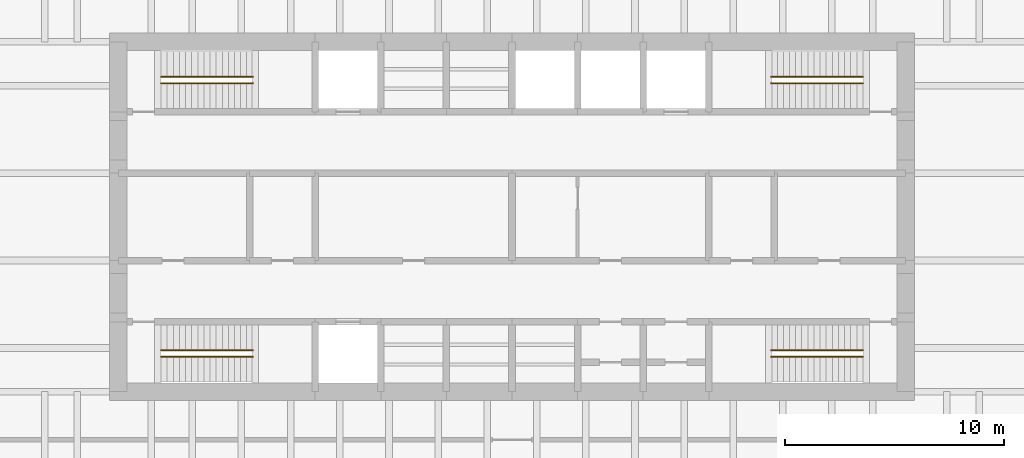
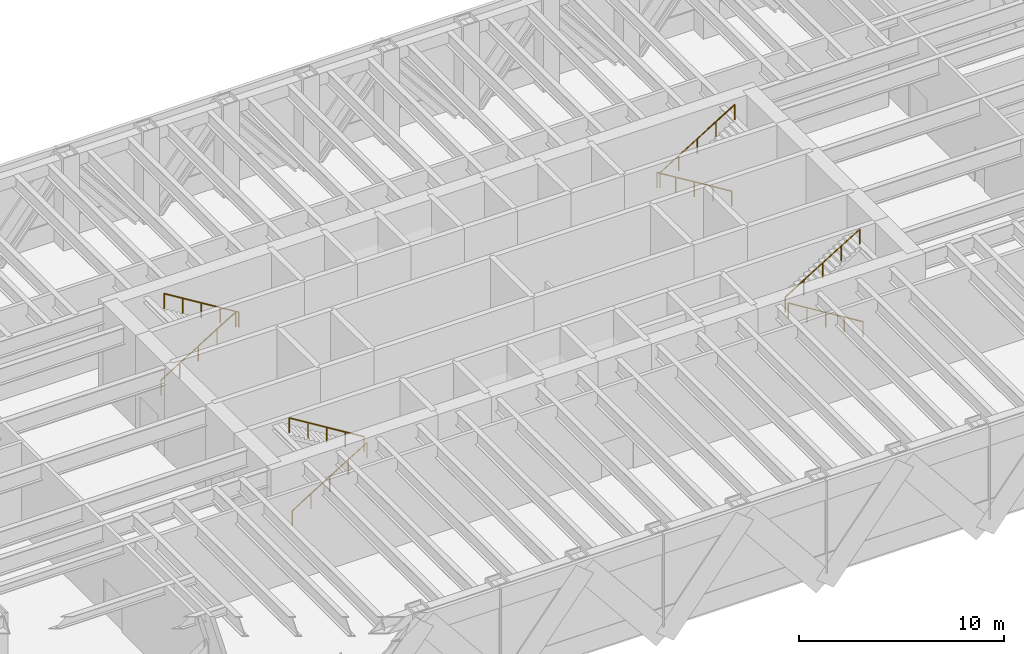
# One storey, part 17 of 17: 8 railings.
"""IFC4 building model written with IfcOpenShell, lengths in metres."""

from ifc_helpers import new_model, si_unit, direction, frame, origin, origin_2d, place, context, subcontext, project, spatial, circle, extrude, material, type_object, element, save


model = new_model("IFC4")

# Units and contexts
model_context = context("Model", 3, precision=1e-05, world=origin(), true_north=direction((0.0, 1.0)))
body_context = subcontext(model_context, "Body", "Model", "MODEL_VIEW")
ifc_project = project(units=[si_unit("LENGTHUNIT", "METRE"), si_unit("AREAUNIT", "SQUARE_METRE"), si_unit("VOLUMEUNIT", "CUBIC_METRE"), si_unit("PLANEANGLEUNIT", "RADIAN"), si_unit("MASSUNIT", "GRAM", prefix="KILO")], contexts=[model_context])

# Site, building, storey
site_placement = place(None, origin())
site = spatial("IfcSite", under=ifc_project, at=site_placement, CompositionType="ELEMENT")
building_placement = place(site_placement, origin())
building = spatial("IfcBuilding", under=site, at=building_placement, Name="Rheinbord Bourse Tower", CompositionType="ELEMENT")
storey_placement = place(building_placement, frame((0.0, 0.0, 265.60009765625)))
storey = spatial("IfcBuildingStorey", under=building, at=storey_placement, Name="L60", CompositionType="ELEMENT", Elevation=265.60009765625)

# Railings
ifc_material = material(Name="Steel handrail", Category="steel")
railing_type = type_object("IfcRailingType", Name="HANDRAIL 900", PredefinedType="HANDRAIL", material=ifc_material)
railing_1_placement = place(storey_placement, frame((19.949951171875, 17.60009765625, 0.171875)))
element("IfcRailing", 1, at=railing_1_placement, inside=storey, type_object=railing_type, Name="Handrail", PredefinedType="HANDRAIL", context=body_context, shape_type="SweptSolid", body=[
    extrude(circle(Radius=0.02392578125, at=origin_2d()), frame((0.0, 0.0, 0.8759765625), z_axis=(0.852242915053, 0.0, 0.523146264196), x_axis=(0.0, 1.0, 0.0)), (0.0, 0.0, 1.0), 4.92822265625),
    extrude(circle(Radius=0.02099609375, at=origin_2d()), origin(), (0.0, 0.0, 1.0), 0.851806640625),
    extrude(circle(Radius=0.02099609375, at=origin_2d()), frame((1.050048828125, 0.0, 0.64453125)), (0.0, 0.0, 1.0), 0.851806640625),
    extrude(circle(Radius=0.02099609375, at=origin_2d()), frame((2.10009765625, 0.0, 1.2890625)), (0.0, 0.0, 1.0), 0.851806640625),
    extrude(circle(Radius=0.02099609375, at=origin_2d()), frame((3.14990234375, 0.0, 1.93359375)), (0.0, 0.0, 1.0), 0.851806640625),
    extrude(circle(Radius=0.02099609375, at=origin_2d()), frame((4.199951171875, 0.0, 2.578125)), (0.0, 0.0, 1.0), 0.851806640625),
])
railing_2_placement = place(storey_placement, frame((24.14990234375, 17.89990234375, 2.921875)))
element("IfcRailing", 2, at=railing_2_placement, inside=storey, type_object=railing_type, Name="Handrail", PredefinedType="HANDRAIL", context=body_context, shape_type="SweptSolid", body=[
    extrude(circle(Radius=0.02392578125, at=origin_2d()), frame((0.0, 0.0, 0.8759765625), z_axis=(-0.852242915053, 0.0, 0.523146264196), x_axis=(0.0, -1.0, 0.0)), (0.0, 0.0, 1.0), 4.92822265625),
    extrude(circle(Radius=0.02099609375, at=origin_2d()), origin(), (0.0, 0.0, 1.0), 0.851806640625),
    extrude(circle(Radius=0.02099609375, at=origin_2d()), frame((-1.050048828125, 0.0, 0.64453125)), (0.0, 0.0, 1.0), 0.851806640625),
    extrude(circle(Radius=0.02099609375, at=origin_2d()), frame((-2.10009765625, 0.0, 1.2890625)), (0.0, 0.0, 1.0), 0.851806640625),
    extrude(circle(Radius=0.02099609375, at=origin_2d()), frame((-3.14990234375, 0.0, 1.93359375)), (0.0, 0.0, 1.0), 0.851806640625),
    extrude(circle(Radius=0.02099609375, at=origin_2d()), frame((-4.199951171875, 0.0, 2.578125)), (0.0, 0.0, 1.0), 0.851806640625),
])
railing_3_placement = place(storey_placement, frame((19.949951171875, 30.39990234375, 0.171875)))
element("IfcRailing", 3, at=railing_3_placement, inside=storey, type_object=railing_type, Name="Handrail", PredefinedType="HANDRAIL", context=body_context, shape_type="SweptSolid", body=[
    extrude(circle(Radius=0.02392578125, at=origin_2d()), frame((0.0, 0.0, 0.8759765625), z_axis=(0.852242915053, 0.0, 0.523146264196), x_axis=(0.0, 1.0, 0.0)), (0.0, 0.0, 1.0), 4.92822265625),
    extrude(circle(Radius=0.02099609375, at=origin_2d()), origin(), (0.0, 0.0, 1.0), 0.851806640625),
    extrude(circle(Radius=0.02099609375, at=origin_2d()), frame((1.050048828125, 0.0, 0.64453125)), (0.0, 0.0, 1.0), 0.851806640625),
    extrude(circle(Radius=0.02099609375, at=origin_2d()), frame((2.10009765625, 0.0, 1.2890625)), (0.0, 0.0, 1.0), 0.851806640625),
    extrude(circle(Radius=0.02099609375, at=origin_2d()), frame((3.14990234375, 0.0, 1.93359375)), (0.0, 0.0, 1.0), 0.851806640625),
    extrude(circle(Radius=0.02099609375, at=origin_2d()), frame((4.199951171875, 0.0, 2.578125)), (0.0, 0.0, 1.0), 0.851806640625),
])
for number, where, name in (
    (4, (24.14990234375, 30.10009765625, 2.921875), "Handrail"),
    (5, (52.050048828125, 17.60009765625, 0.171875), "Handrail"),
):
    element("IfcRailing", number, at=place(storey_placement, frame(where)), inside=storey, type_object=railing_type, Name=name, PredefinedType="HANDRAIL", context=body_context, shape_type="SweptSolid", body=[
        extrude(circle(Radius=0.02392578125, at=origin_2d()), frame((0.0, 0.0, 0.8759765625), z_axis=(-0.852242915053, 0.0, 0.523146264196), x_axis=(0.0, -1.0, 0.0)), (0.0, 0.0, 1.0), 4.92822265625),
        extrude(circle(Radius=0.02099609375, at=origin_2d()), origin(), (0.0, 0.0, 1.0), 0.851806640625),
        extrude(circle(Radius=0.02099609375, at=origin_2d()), frame((-1.050048828125, 0.0, 0.64453125)), (0.0, 0.0, 1.0), 0.851806640625),
        extrude(circle(Radius=0.02099609375, at=origin_2d()), frame((-2.10009765625, 0.0, 1.2890625)), (0.0, 0.0, 1.0), 0.851806640625),
        extrude(circle(Radius=0.02099609375, at=origin_2d()), frame((-3.14990234375, 0.0, 1.93359375)), (0.0, 0.0, 1.0), 0.851806640625),
        extrude(circle(Radius=0.02099609375, at=origin_2d()), frame((-4.199951171875, 0.0, 2.578125)), (0.0, 0.0, 1.0), 0.851806640625),
    ])
railing_4_placement = place(storey_placement, frame((47.85009765625, 17.89990234375, 2.921875)))
element("IfcRailing", 6, at=railing_4_placement, inside=storey, type_object=railing_type, Name="Handrail", PredefinedType="HANDRAIL", context=body_context, shape_type="SweptSolid", body=[
    extrude(circle(Radius=0.02392578125, at=origin_2d()), frame((0.0, 0.0, 0.8759765625), z_axis=(0.852242915053, 0.0, 0.523146264196), x_axis=(0.0, 1.0, 0.0)), (0.0, 0.0, 1.0), 4.92822265625),
    extrude(circle(Radius=0.02099609375, at=origin_2d()), origin(), (0.0, 0.0, 1.0), 0.851806640625),
    extrude(circle(Radius=0.02099609375, at=origin_2d()), frame((1.050048828125, 0.0, 0.64453125)), (0.0, 0.0, 1.0), 0.851806640625),
    extrude(circle(Radius=0.02099609375, at=origin_2d()), frame((2.10009765625, 0.0, 1.2890625)), (0.0, 0.0, 1.0), 0.851806640625),
    extrude(circle(Radius=0.02099609375, at=origin_2d()), frame((3.14990234375, 0.0, 1.93359375)), (0.0, 0.0, 1.0), 0.851806640625),
    extrude(circle(Radius=0.02099609375, at=origin_2d()), frame((4.199951171875, 0.0, 2.578125)), (0.0, 0.0, 1.0), 0.851806640625),
])
railing_5_placement = place(storey_placement, frame((52.050048828125, 30.39990234375, 0.171875)))
element("IfcRailing", 7, at=railing_5_placement, inside=storey, type_object=railing_type, Name="Handrail", PredefinedType="HANDRAIL", context=body_context, shape_type="SweptSolid", body=[
    extrude(circle(Radius=0.02392578125, at=origin_2d()), frame((0.0, 0.0, 0.8759765625), z_axis=(-0.852242915053, 0.0, 0.523146264196), x_axis=(0.0, -1.0, 0.0)), (0.0, 0.0, 1.0), 4.92822265625),
    extrude(circle(Radius=0.02099609375, at=origin_2d()), origin(), (0.0, 0.0, 1.0), 0.851806640625),
    extrude(circle(Radius=0.02099609375, at=origin_2d()), frame((-1.050048828125, 0.0, 0.64453125)), (0.0, 0.0, 1.0), 0.851806640625),
    extrude(circle(Radius=0.02099609375, at=origin_2d()), frame((-2.10009765625, 0.0, 1.2890625)), (0.0, 0.0, 1.0), 0.851806640625),
    extrude(circle(Radius=0.02099609375, at=origin_2d()), frame((-3.14990234375, 0.0, 1.93359375)), (0.0, 0.0, 1.0), 0.851806640625),
    extrude(circle(Radius=0.02099609375, at=origin_2d()), frame((-4.199951171875, 0.0, 2.578125)), (0.0, 0.0, 1.0), 0.851806640625),
])
railing_6_placement = place(storey_placement, frame((47.85009765625, 30.10009765625, 2.921875)))
element("IfcRailing", 8, at=railing_6_placement, inside=storey, type_object=railing_type, Name="Handrail", PredefinedType="HANDRAIL", context=body_context, shape_type="SweptSolid", body=[
    extrude(circle(Radius=0.02392578125, at=origin_2d()), frame((0.0, 0.0, 0.8759765625), z_axis=(0.852242915053, 0.0, 0.523146264196), x_axis=(0.0, 1.0, 0.0)), (0.0, 0.0, 1.0), 4.92822265625),
    extrude(circle(Radius=0.02099609375, at=origin_2d()), origin(), (0.0, 0.0, 1.0), 0.851806640625),
    extrude(circle(Radius=0.02099609375, at=origin_2d()), frame((1.050048828125, 0.0, 0.64453125)), (0.0, 0.0, 1.0), 0.851806640625),
    extrude(circle(Radius=0.02099609375, at=origin_2d()), frame((2.10009765625, 0.0, 1.2890625)), (0.0, 0.0, 1.0), 0.851806640625),
    extrude(circle(Radius=0.02099609375, at=origin_2d()), frame((3.14990234375, 0.0, 1.93359375)), (0.0, 0.0, 1.0), 0.851806640625),
    extrude(circle(Radius=0.02099609375, at=origin_2d()), frame((4.199951171875, 0.0, 2.578125)), (0.0, 0.0, 1.0), 0.851806640625),
])

save(model, "model.ifc")
